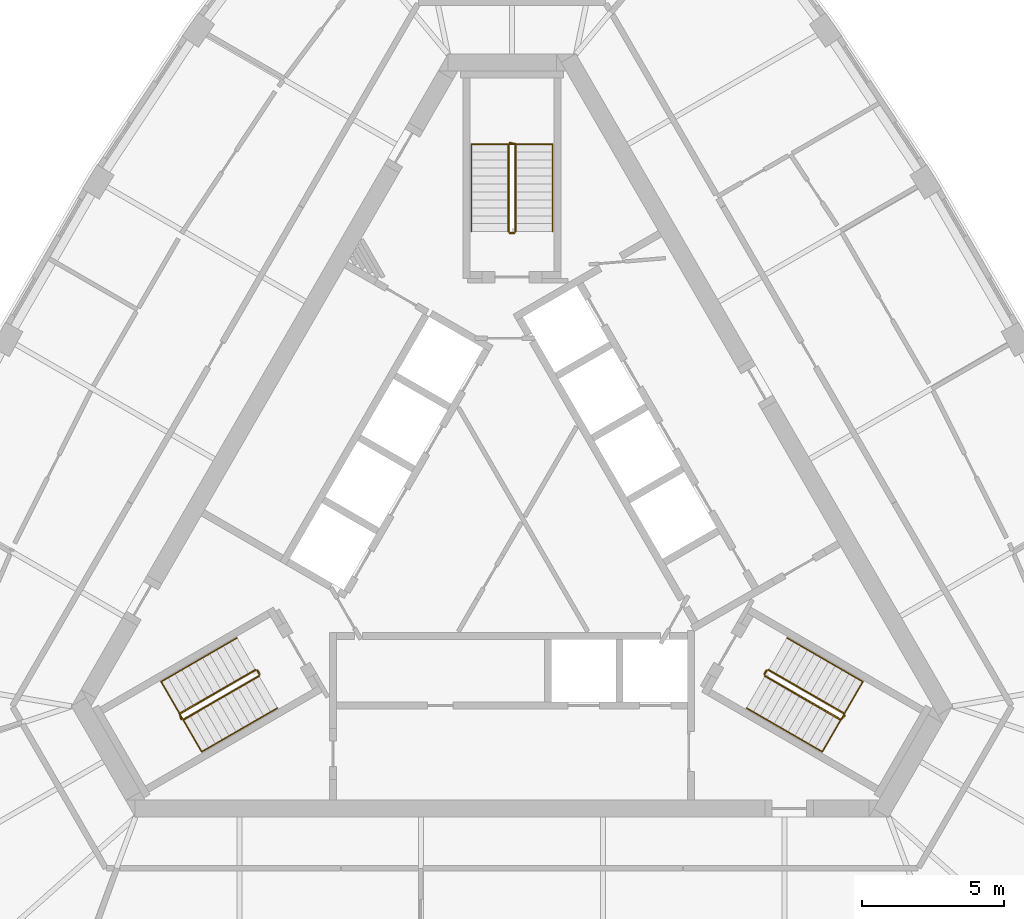
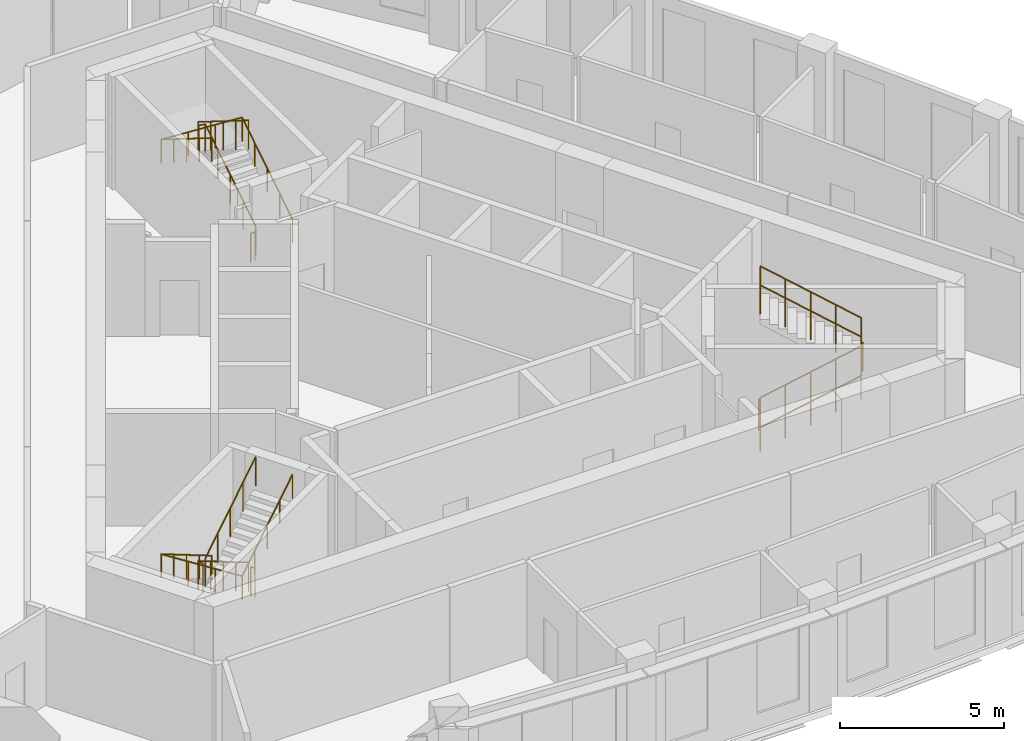
# One storey, part 10 of 10: 12 railings.
"""IFC4 building model written with IfcOpenShell, lengths in metres."""

import ifcopenshell
import ifcopenshell.guid

model = None  # the IFC model being written
_history = None  # IfcOwnerHistory: only IFC2X3 demands one
_inside = {}  # id of a spatial element -> (the spatial element, [elements in it])
_under = {}  # id of a project, library or spatial element -> (it, [spatial elements below it])
_declared = {}  # id of a project -> (the project, [libraries it declares])
_typed = {}  # id of a type object -> (the type object, [elements of that type])
_made_of = {}  # id of a material, layer set ... -> (it, [elements and type objects made of it])


def new_model(schema):
    """Start an empty IFC model of exactly this schema.

    Asked for "IFC4X3", IfcOpenShell would pick the latest addendum, in which some entities
    have other attributes; the version numbers below select the first issue.
    IFC2X3 requires an IfcOwnerHistory on every rooted entity: one is made here for all.
    """
    global model, _history
    if schema == "IFC4X3":
        model = ifcopenshell.file(schema_version=(4, 3, 0, 0))
    else:
        model = ifcopenshell.file(schema=schema)
    _inside.clear()
    _under.clear()
    _declared.clear()
    _typed.clear()
    _made_of.clear()
    _history = None
    if model.schema == "IFC2X3":
        org = make("IfcOrganization", Name="unknown")
        user = make(
            "IfcPersonAndOrganization",
            ThePerson=make("IfcPerson", FamilyName="unknown"),
            TheOrganization=org,
        )
        app = make(
            "IfcApplication",
            ApplicationDeveloper=org,
            Version="unknown",
            ApplicationFullName="unknown",
            ApplicationIdentifier="unknown",
        )
        _history = make(
            "IfcOwnerHistory",
            OwningUser=user,
            OwningApplication=app,
            ChangeAction="ADDED",
            CreationDate=0,
        )
    return model


def make(cls, **values):
    """One entity of the class cls with the attributes given. An attribute that is None is left unset."""
    return model.create_entity(
        cls, **{name: value for name, value in values.items() if value is not None}
    )


def rooted(cls, **values):
    """An entity with a GlobalId (a new one), such as an element, a storey or a relation."""
    return make(cls, GlobalId=ifcopenshell.guid.new(), OwnerHistory=_history, **values)


def si_unit(unit_type, name, prefix=None):
    """IfcSIUnit, for example si_unit("LENGTHUNIT", "METRE", prefix="MILLI")."""
    return make("IfcSIUnit", UnitType=unit_type, Prefix=prefix, Name=name)


def assignment(units):
    """IfcUnitAssignment: the units of a project."""
    return None if units is None else make("IfcUnitAssignment", Units=units)


def point(xyz):
    """IfcCartesianPoint."""
    return None if xyz is None else make("IfcCartesianPoint", Coordinates=xyz)


def direction(xyz):
    """IfcDirection."""
    return None if xyz is None else make("IfcDirection", DirectionRatios=xyz)


def frame(location, z_axis=None, x_axis=None):
    """IfcAxis2Placement3D, a coordinate frame: its origin and axes. An axis left out is left unset."""
    return make(
        "IfcAxis2Placement3D",
        Location=point(location),
        Axis=direction(z_axis),
        RefDirection=direction(x_axis),
    )


def frame_2d(location, x_axis=None):
    """IfcAxis2Placement2D, a coordinate frame in the plane: its origin and x axis."""
    return make(
        "IfcAxis2Placement2D", Location=point(location), RefDirection=direction(x_axis)
    )


def origin():
    """The frame at (0, 0, 0) with its axes left unset."""
    return frame((0.0, 0.0, 0.0))


def origin_2d():
    """The frame at (0, 0) in the plane with its x axis left unset."""
    return frame_2d((0.0, 0.0))


def place(relative_to, where):
    """IfcLocalPlacement: puts the frame where relative to a parent placement (None: the world)."""
    return make(
        "IfcLocalPlacement", PlacementRelTo=relative_to, RelativePlacement=where
    )


def context(
    kind, dimensions, precision=None, world=None, true_north=None, identifier=None
):
    """IfcGeometricRepresentationContext, for example the 3D "Model" context."""
    return make(
        "IfcGeometricRepresentationContext",
        ContextIdentifier=identifier,
        ContextType=kind,
        CoordinateSpaceDimension=dimensions,
        Precision=precision,
        WorldCoordinateSystem=world,
        TrueNorth=true_north,
    )


def subcontext(parent, identifier, kind, view, scale=None):
    """IfcGeometricRepresentationSubContext, for example "Body" below "Model"."""
    return make(
        "IfcGeometricRepresentationSubContext",
        ContextIdentifier=identifier,
        ContextType=kind,
        ParentContext=parent,
        TargetScale=scale,
        TargetView=view,
    )


def project(units=None, contexts=None):
    """IfcProject with its units and contexts."""
    return rooted(
        "IfcProject",
        Name="project",
        RepresentationContexts=contexts,
        UnitsInContext=assignment(units),
    )


def spatial(cls, under=None, at=None, **own):
    """A site, building, storey or space (cls), placed at a placement, below another one or the project."""
    s = rooted(cls, ObjectPlacement=at, **own)
    if under is not None:
        _under.setdefault(under.id(), (under, []))[1].append(s)
    return s


def profile(cls, at=None, kind="AREA", **sizes):
    """A parametric profile (cls). Its sizes go by their IFC names, for example OverallWidth=200.0."""
    return make(cls, ProfileType=kind, Position=at, **sizes)


def circle(**sizes):
    """IfcCircleProfileDef."""
    return profile("IfcCircleProfileDef", **sizes)


def extrude(swept, where, along, depth):
    """IfcExtrudedAreaSolid: the profile swept, set in the frame where, extruded along a direction by depth."""
    return make(
        "IfcExtrudedAreaSolid",
        SweptArea=swept,
        Position=where,
        ExtrudedDirection=direction(along),
        Depth=depth,
    )


def shape(context_of_items, identifier, shape_type, items):
    """IfcShapeRepresentation: the items that make up one representation, for example the "Body"."""
    return make(
        "IfcShapeRepresentation",
        ContextOfItems=context_of_items,
        RepresentationIdentifier=identifier,
        RepresentationType=shape_type,
        Items=items,
    )


def material(Name=None, Category=None):
    """IfcMaterial."""
    return make("IfcMaterial", Name=Name, Category=Category)


def made_of(thing, what):
    """Note that an element or type object is made of a material, layer set ...; save() writes the relation."""
    if what is not None:
        _made_of.setdefault(what.id(), (what, []))[1].append(thing)
    return thing


def type_object(cls, material=None, **own):
    """A type object (cls), such as IfcWallType, which elements share."""
    return made_of(rooted(cls, **own), material)


def element(
    cls,
    number,
    at=None,
    inside=None,
    cuts=None,
    type_object=None,
    material=None,
    context=None,
    identifier="Body",
    shape_type=None,
    held_by="IfcProductDefinitionShape",
    body=None,
    shapes=None,
    **own,
):
    """One element of the class cls, such as IfcWall. Its Tag is "e" and its number.

    at: its placement. inside: the storey or other place that contains it. cuts: it is an
    opening in that element (IfcRelVoidsElement). A single representation is given by context,
    identifier, shape_type and body (its items); several are given by shapes. held_by: the class
    of the entity that holds the representations. save() writes the other relations.
    """
    e = rooted(cls, Tag="e%d" % number, ObjectPlacement=at, **own)
    if body is not None:
        shapes = [shape(context, identifier, shape_type, body)]
    if shapes is not None:
        e.Representation = make(held_by, Representations=shapes)
    if inside is not None:
        _inside.setdefault(inside.id(), (inside, []))[1].append(e)
    if cuts is not None:
        rooted(
            "IfcRelVoidsElement", RelatingBuildingElement=cuts, RelatedOpeningElement=e
        )
    if type_object is not None:
        _typed.setdefault(type_object.id(), (type_object, []))[1].append(e)
    return made_of(e, material)


def aggregate(whole, parts):
    """IfcRelAggregates: a whole, such as a stair, and the parts it consists of."""
    return rooted("IfcRelAggregates", RelatingObject=whole, RelatedObjects=parts)


def save(model, path):
    """Write the relations noted so far, then the file.

    IfcRelAggregates (storeys below a building ...), IfcRelContainedInSpatialStructure (elements
    in a storey), IfcRelDefinesByType, IfcRelAssociatesMaterial and IfcRelDeclares: one each for
    every whole, place, type object, material and project.
    """
    for whole, parts in _under.values():
        aggregate(whole, parts)
    for where, things in _inside.values():
        rooted(
            "IfcRelContainedInSpatialStructure",
            RelatedElements=things,
            RelatingStructure=where,
        )
    for kind, things in _typed.values():
        rooted("IfcRelDefinesByType", RelatedObjects=things, RelatingType=kind)
    for what, things in _made_of.values():
        rooted("IfcRelAssociatesMaterial", RelatedObjects=things, RelatingMaterial=what)
    for by, libraries in _declared.values():
        rooted("IfcRelDeclares", RelatingContext=by, RelatedDefinitions=libraries)
    model.write(path)


model = new_model("IFC4")

# Units and contexts
model_context = context("Model", 3, precision=1e-05, world=origin(), true_north=direction((0.0, 1.0)))
body_context = subcontext(model_context, "Body", "Model", "MODEL_VIEW")
ifc_project = project(units=[si_unit("LENGTHUNIT", "METRE"), si_unit("AREAUNIT", "SQUARE_METRE"), si_unit("VOLUMEUNIT", "CUBIC_METRE"), si_unit("PLANEANGLEUNIT", "RADIAN"), si_unit("MASSUNIT", "GRAM", prefix="KILO")], contexts=[model_context])

# Site, building, storey
site_placement = place(None, origin())
site = spatial("IfcSite", under=ifc_project, at=site_placement, CompositionType="ELEMENT")
building_placement = place(site_placement, origin())
building = spatial("IfcBuilding", under=site, at=building_placement, Name="Mestral Congress Tower", CompositionType="ELEMENT")
storey_placement = place(building_placement, frame((0.0, 0.0, 271.199951171875)))
storey = spatial("IfcBuildingStorey", under=building, at=storey_placement, Name="L63", CompositionType="ELEMENT", Elevation=271.199951171875)

# Railings
ifc_material_1 = material(Name="Steel balustrade", Category="steel")
railing_type_1 = type_object("IfcRailingType", Name="Stair guard 1100", PredefinedType="GUARDRAIL", material=ifc_material_1)
railing_1_placement = place(storey_placement, frame((8.90087890625, -5.283203125, 0.175048828125)))
element("IfcRailing", 1, at=railing_1_placement, inside=storey, type_object=railing_type_1, Name="L63 ST1 stair guard 1", PredefinedType="GUARDRAIL", context=body_context, shape_type="SweptSolid", body=[
    extrude(circle(Radius=0.02392578125, at=origin_2d()), frame((0.0, 0.0, 1.076171875), z_axis=(0.734364028329, -0.424015404183, 0.530019255228), x_axis=(0.500026652407, 0.866010015463, 0.0)), (0.0, 0.0, 1.0), 3.632080078125),
    extrude(circle(Radius=0.02392578125, at=origin_2d()), frame((2.667236328125, -1.5400390625, 3.0009765625), z_axis=(0.695164929852, 0.718850276695, 0.0), x_axis=(-0.718850276695, 0.695164929852, 0.0)), (0.0, 0.0, 1.0), 0.2060546875),
    extrude(circle(Radius=0.02099609375, at=origin_2d()), origin(), (0.0, 0.0, 1.0), 1.052001953125),
    extrude(circle(Radius=0.02099609375, at=origin_2d()), frame((0.666748046875, -0.385009765625, 0.481201171875)), (0.0, 0.0, 1.0), 1.052001953125),
    extrude(circle(Radius=0.02099609375, at=origin_2d()), frame((1.33349609375, -0.77001953125, 0.96240234375)), (0.0, 0.0, 1.0), 1.052001953125),
    extrude(circle(Radius=0.02099609375, at=origin_2d()), frame((2.00048828125, -1.155029296875, 1.44384765625)), (0.0, 0.0, 1.0), 1.052001953125),
    extrude(circle(Radius=0.02099609375, at=origin_2d()), frame((2.667236328125, -1.5400390625, 1.925048828125)), (0.0, 0.0, 1.0), 1.052001953125),
    extrude(circle(Radius=0.02099609375, at=origin_2d()), frame((2.810546875, -1.391845703125, 1.925048828125)), (0.0, 0.0, 1.0), 1.052001953125),
])
railing_2_placement = place(storey_placement, frame((11.693115234375, -6.606689453125, 2.275146484375)))
element("IfcRailing", 2, at=railing_2_placement, inside=storey, type_object=railing_type_1, Name="L63 ST1 stair guard 2", PredefinedType="GUARDRAIL", context=body_context, shape_type="SweptSolid", body=[
    extrude(circle(Radius=0.02392578125, at=origin_2d()), frame((0.0, 0.0, 1.076171875), z_axis=(-0.734390191396, 0.42403051051, 0.529970917068), x_axis=(-0.500026652407, -0.866010015463, 0.0)), (0.0, 0.0, 1.0), 3.6318359375),
    extrude(circle(Radius=0.02099609375, at=origin_2d()), origin(), (0.0, 0.0, 1.0), 1.052001953125),
    extrude(circle(Radius=0.02099609375, at=origin_2d()), frame((-0.666748046875, 0.385009765625, 0.481201171875)), (0.0, 0.0, 1.0), 1.052001953125),
    extrude(circle(Radius=0.02099609375, at=origin_2d()), frame((-1.33349609375, 0.77001953125, 0.96240234375)), (0.0, 0.0, 1.0), 1.052001953125),
    extrude(circle(Radius=0.02099609375, at=origin_2d()), frame((-2.00048828125, 1.155029296875, 1.443603515625)), (0.0, 0.0, 1.0), 1.052001953125),
    extrude(circle(Radius=0.02099609375, at=origin_2d()), frame((-2.667236328125, 1.5400390625, 1.9248046875)), (0.0, 0.0, 1.0), 1.052001953125),
])
railing_3_placement = place(storey_placement, frame((8.882568359375, -5.21484375, 0.0)))
element("IfcRailing", 3, at=railing_3_placement, inside=storey, type_object=railing_type_1, Name="L63 ST1 stair guard 3", PredefinedType="GUARDRAIL", context=body_context, shape_type="SweptSolid", body=[
    extrude(circle(Radius=0.02392578125, at=origin_2d()), frame((0.0, 0.0, 1.076171875), z_axis=(0.499816412211, 0.866131372301, 0.0), x_axis=(-0.866131372301, 0.499816412211, 0.0)), (0.0, 0.0, 1.0), 0.14990234375),
    extrude(circle(Radius=0.02099609375, at=origin_2d()), origin(), (0.0, 0.0, 1.0), 1.052001953125),
    extrude(circle(Radius=0.02099609375, at=origin_2d()), frame((0.074951171875, 0.1298828125, 0.0)), (0.0, 0.0, 1.0), 1.052001953125),
])
railing_4_placement = place(storey_placement, frame((0.125, 10.35009765625, 0.175048828125)))
element("IfcRailing", 4, at=railing_4_placement, inside=storey, type_object=railing_type_1, Name="L63 ST2 stair guard 1", PredefinedType="GUARDRAIL", context=body_context, shape_type="SweptSolid", body=[
    extrude(circle(Radius=0.02392578125, at=origin_2d()), frame((0.0, 0.0, 1.076171875), z_axis=(0.0, 0.847979421464, 0.530029150871), x_axis=(-1.0, 0.0, 0.0)), (0.0, 0.0, 1.0), 3.632080078125),
    extrude(circle(Radius=0.02392578125, at=origin_2d()), frame((0.0, 3.079833984375, 3.0009765625), z_axis=(-0.970072785993, 0.242814311512, 0.0), x_axis=(-0.242814311512, -0.970072785993, 0.0)), (0.0, 0.0, 1.0), 0.2060546875),
    extrude(circle(Radius=0.02099609375, at=origin_2d()), origin(), (0.0, 0.0, 1.0), 1.052001953125),
    extrude(circle(Radius=0.02099609375, at=origin_2d()), frame((0.0, 0.77001953125, 0.481201171875)), (0.0, 0.0, 1.0), 1.052001953125),
    extrude(circle(Radius=0.02099609375, at=origin_2d()), frame((0.0, 1.5400390625, 0.96240234375)), (0.0, 0.0, 1.0), 1.052001953125),
    extrude(circle(Radius=0.02099609375, at=origin_2d()), frame((0.0, 2.309814453125, 1.44384765625)), (0.0, 0.0, 1.0), 1.052001953125),
    extrude(circle(Radius=0.02099609375, at=origin_2d()), frame((0.0, 3.079833984375, 1.925048828125)), (0.0, 0.0, 1.0), 1.052001953125),
    extrude(circle(Radius=0.02099609375, at=origin_2d()), frame((-0.199951171875, 3.1298828125, 1.925048828125)), (0.0, 0.0, 1.0), 1.052001953125),
])
railing_5_placement = place(storey_placement, frame((-0.125, 13.429931640625, 2.275146484375)))
element("IfcRailing", 5, at=railing_5_placement, inside=storey, type_object=railing_type_1, Name="L63 ST2 stair guard 2", PredefinedType="GUARDRAIL", context=body_context, shape_type="SweptSolid", body=[
    extrude(circle(Radius=0.02392578125, at=origin_2d()), frame((0.0, 0.0, 1.076171875), z_axis=(0.0, -0.848009633417, 0.529980812513), x_axis=(1.0, 0.0, 0.0)), (0.0, 0.0, 1.0), 3.6318359375),
    extrude(circle(Radius=0.02099609375, at=origin_2d()), origin(), (0.0, 0.0, 1.0), 1.052001953125),
    extrude(circle(Radius=0.02099609375, at=origin_2d()), frame((0.0, -0.77001953125, 0.481201171875)), (0.0, 0.0, 1.0), 1.052001953125),
    extrude(circle(Radius=0.02099609375, at=origin_2d()), frame((0.0, -1.5400390625, 0.96240234375)), (0.0, 0.0, 1.0), 1.052001953125),
    extrude(circle(Radius=0.02099609375, at=origin_2d()), frame((0.0, -2.309814453125, 1.443603515625)), (0.0, 0.0, 1.0), 1.052001953125),
    extrude(circle(Radius=0.02099609375, at=origin_2d()), frame((0.0, -3.079833984375, 1.9248046875)), (0.0, 0.0, 1.0), 1.052001953125),
])
railing_6_placement = place(storey_placement, frame((0.074951171875, 10.300048828125, 0.0)))
element("IfcRailing", 6, at=railing_6_placement, inside=storey, type_object=railing_type_1, Name="L63 ST2 stair guard 3", PredefinedType="GUARDRAIL", context=body_context, shape_type="SweptSolid", body=[
    extrude(circle(Radius=0.02392578125, at=origin_2d()), frame((0.0, 0.0, 1.076171875), z_axis=(-1.0, 0.0, 0.0), x_axis=(0.0, -1.0, 0.0)), (0.0, 0.0, 1.0), 0.14990234375),
    extrude(circle(Radius=0.02099609375, at=origin_2d()), origin(), (0.0, 0.0, 1.0), 1.052001953125),
    extrude(circle(Radius=0.02099609375, at=origin_2d()), frame((-0.14990234375, 0.0, 0.0)), (0.0, 0.0, 1.0), 1.052001953125),
])
railing_7_placement = place(storey_placement, frame((-9.02587890625, -5.066650390625, 0.175048828125)))
element("IfcRailing", 7, at=railing_7_placement, inside=storey, type_object=railing_type_1, Name="L63 ST3 stair guard 1", PredefinedType="GUARDRAIL", context=body_context, shape_type="SweptSolid", body=[
    extrude(circle(Radius=0.02392578125, at=origin_2d()), frame((0.0, 0.0, 1.076171875), z_axis=(-0.734364028329, -0.424015404183, 0.530019255228), x_axis=(0.500026652407, -0.866010015463, 0.0)), (0.0, 0.0, 1.0), 3.632080078125),
    extrude(circle(Radius=0.02392578125, at=origin_2d()), frame((-2.667236328125, -1.5400390625, 3.0009765625), z_axis=(0.274721127897, -0.961523947641, 0.0), x_axis=(0.961523947641, 0.274721127897, 0.0)), (0.0, 0.0, 1.0), 0.2060546875),
    extrude(circle(Radius=0.02099609375, at=origin_2d()), origin(), (0.0, 0.0, 1.0), 1.052001953125),
    extrude(circle(Radius=0.02099609375, at=origin_2d()), frame((-0.666748046875, -0.385009765625, 0.481201171875)), (0.0, 0.0, 1.0), 1.052001953125),
    extrude(circle(Radius=0.02099609375, at=origin_2d()), frame((-1.33349609375, -0.77001953125, 0.96240234375)), (0.0, 0.0, 1.0), 1.052001953125),
    extrude(circle(Radius=0.02099609375, at=origin_2d()), frame((-2.00048828125, -1.155029296875, 1.44384765625)), (0.0, 0.0, 1.0), 1.052001953125),
    extrude(circle(Radius=0.02099609375, at=origin_2d()), frame((-2.667236328125, -1.5400390625, 1.925048828125)), (0.0, 0.0, 1.0), 1.052001953125),
    extrude(circle(Radius=0.02099609375, at=origin_2d()), frame((-2.610595703125, -1.73828125, 1.925048828125)), (0.0, 0.0, 1.0), 1.052001953125),
])
railing_8_placement = place(storey_placement, frame((-11.568115234375, -6.8232421875, 2.275146484375)))
element("IfcRailing", 8, at=railing_8_placement, inside=storey, type_object=railing_type_1, Name="L63 ST3 stair guard 2", PredefinedType="GUARDRAIL", context=body_context, shape_type="SweptSolid", body=[
    extrude(circle(Radius=0.02392578125, at=origin_2d()), frame((0.0, 0.0, 1.076171875), z_axis=(0.734390191396, 0.42403051051, 0.529970917068), x_axis=(-0.500026652407, 0.866010015463, 0.0)), (0.0, 0.0, 1.0), 3.6318359375),
    extrude(circle(Radius=0.02099609375, at=origin_2d()), origin(), (0.0, 0.0, 1.0), 1.052001953125),
    extrude(circle(Radius=0.02099609375, at=origin_2d()), frame((0.666748046875, 0.385009765625, 0.481201171875)), (0.0, 0.0, 1.0), 1.052001953125),
    extrude(circle(Radius=0.02099609375, at=origin_2d()), frame((1.33349609375, 0.77001953125, 0.96240234375)), (0.0, 0.0, 1.0), 1.052001953125),
    extrude(circle(Radius=0.02099609375, at=origin_2d()), frame((2.00048828125, 1.155029296875, 1.443603515625)), (0.0, 0.0, 1.0), 1.052001953125),
    extrude(circle(Radius=0.02099609375, at=origin_2d()), frame((2.667236328125, 1.5400390625, 1.9248046875)), (0.0, 0.0, 1.0), 1.052001953125),
])
railing_9_placement = place(storey_placement, frame((-8.95751953125, -5.0849609375, 0.0)))
element("IfcRailing", 9, at=railing_9_placement, inside=storey, type_object=railing_type_1, Name="L63 ST3 stair guard 3", PredefinedType="GUARDRAIL", context=body_context, shape_type="SweptSolid", body=[
    extrude(circle(Radius=0.02392578125, at=origin_2d()), frame((0.0, 0.0, 1.076171875), z_axis=(0.499816412211, -0.866131372301, 0.0), x_axis=(0.866131372301, 0.499816412211, 0.0)), (0.0, 0.0, 1.0), 0.14990234375),
    extrude(circle(Radius=0.02099609375, at=origin_2d()), origin(), (0.0, 0.0, 1.0), 1.052001953125),
    extrude(circle(Radius=0.02099609375, at=origin_2d()), frame((0.074951171875, -0.1298828125, 0.0)), (0.0, 0.0, 1.0), 1.052001953125),
])
ifc_material_2 = material(Name="Steel handrail", Category="steel")
railing_type_2 = type_object("IfcRailingType", Name="Stair handrail 900", PredefinedType="HANDRAIL", material=ifc_material_2)
railing_10_placement = place(storey_placement, frame((8.2509765625, -6.4091796875, 0.175048828125)))
element("IfcRailing", 10, at=railing_10_placement, inside=storey, type_object=railing_type_2, Name="L63 ST1 stair handrail 1", PredefinedType="HANDRAIL", context=body_context, shape_type="SweptSolid", body=[
    extrude(circle(Radius=0.02392578125, at=origin_2d()), frame((0.0, 0.0, 0.8759765625), z_axis=(0.734384958227, -0.423960268333, 0.530034361155), x_axis=(0.499967199496, 0.866044340336, 0.0)), (0.0, 0.0, 1.0), 3.6318359375),
    extrude(circle(Radius=0.02392578125, at=origin_2d()), frame((2.667236328125, -1.539794921875, 2.80078125), z_axis=(0.499095769026, 0.864375386171, 0.061307463833), x_axis=(-0.866004402611, 0.500036373335, 0.0)), (0.0, 0.0, 1.0), 2.855224609375),
    extrude(circle(Radius=0.02392578125, at=origin_2d()), frame((4.09228515625, 0.92822265625, 2.97607421875), z_axis=(-0.734421155904, 0.424009578203, 0.529944755001), x_axis=(-0.499992328818, -0.866029832698, 0.0)), (0.0, 0.0, 1.0), 3.632080078125),
    extrude(circle(Radius=0.02099609375, at=origin_2d()), origin(), (0.0, 0.0, 1.0), 0.851806640625),
    extrude(circle(Radius=0.02099609375, at=origin_2d()), frame((0.666748046875, -0.385009765625, 0.481201171875)), (0.0, 0.0, 1.0), 0.851806640625),
    extrude(circle(Radius=0.02099609375, at=origin_2d()), frame((1.33349609375, -0.77001953125, 0.96240234375)), (0.0, 0.0, 1.0), 0.851806640625),
    extrude(circle(Radius=0.02099609375, at=origin_2d()), frame((2.00048828125, -1.15478515625, 1.44384765625)), (0.0, 0.0, 1.0), 0.851806640625),
    extrude(circle(Radius=0.02099609375, at=origin_2d()), frame((2.667236328125, -1.539794921875, 1.925048828125)), (0.0, 0.0, 1.0), 0.851806640625),
    extrude(circle(Radius=0.02099609375, at=origin_2d()), frame((3.142333984375, -0.717041015625, 1.9833984375)), (0.0, 0.0, 1.0), 0.851806640625),
    extrude(circle(Radius=0.02099609375, at=origin_2d()), frame((3.6171875, 0.10546875, 2.041748046875)), (0.0, 0.0, 1.0), 0.851806640625),
    extrude(circle(Radius=0.02099609375, at=origin_2d()), frame((4.09228515625, 0.92822265625, 2.10009765625)), (0.0, 0.0, 1.0), 0.851806640625),
    extrude(circle(Radius=0.02099609375, at=origin_2d()), frame((3.42529296875, 1.313232421875, 2.581298828125)), (0.0, 0.0, 1.0), 0.851806640625),
    extrude(circle(Radius=0.02099609375, at=origin_2d()), frame((2.758544921875, 1.6982421875, 3.0625)), (0.0, 0.0, 1.0), 0.851806640625),
    extrude(circle(Radius=0.02099609375, at=origin_2d()), frame((2.091796875, 2.083251953125, 3.543701171875)), (0.0, 0.0, 1.0), 0.851806640625),
    extrude(circle(Radius=0.02099609375, at=origin_2d()), frame((1.4248046875, 2.46826171875, 4.02490234375)), (0.0, 0.0, 1.0), 0.851806640625),
])
railing_11_placement = place(storey_placement, frame((1.425048828125, 10.35009765625, 0.175048828125)))
element("IfcRailing", 11, at=railing_11_placement, inside=storey, type_object=railing_type_2, Name="L63 ST2 stair handrail 1", PredefinedType="HANDRAIL", context=body_context, shape_type="SweptSolid", body=[
    extrude(circle(Radius=0.02392578125, at=origin_2d()), frame((0.0, 0.0, 0.8759765625), z_axis=(0.0, 0.847979421464, 0.530029150871), x_axis=(-1.0, 0.0, 0.0)), (0.0, 0.0, 1.0), 3.632080078125),
    extrude(circle(Radius=0.02392578125, at=origin_2d()), frame((0.0, 3.079833984375, 2.80078125), z_axis=(-0.998119201106, 0.0, 0.061303021003), x_axis=(0.0, -1.0, 0.0)), (0.0, 0.0, 1.0), 2.85546875),
    extrude(circle(Radius=0.02392578125, at=origin_2d()), frame((-2.85009765625, 3.079833984375, 2.97607421875), z_axis=(0.0, -0.848009633417, 0.529980812513), x_axis=(1.0, 0.0, 0.0)), (0.0, 0.0, 1.0), 3.6318359375),
    extrude(circle(Radius=0.02099609375, at=origin_2d()), origin(), (0.0, 0.0, 1.0), 0.851806640625),
    extrude(circle(Radius=0.02099609375, at=origin_2d()), frame((0.0, 0.77001953125, 0.481201171875)), (0.0, 0.0, 1.0), 0.851806640625),
    extrude(circle(Radius=0.02099609375, at=origin_2d()), frame((0.0, 1.5400390625, 0.96240234375)), (0.0, 0.0, 1.0), 0.851806640625),
    extrude(circle(Radius=0.02099609375, at=origin_2d()), frame((0.0, 2.309814453125, 1.44384765625)), (0.0, 0.0, 1.0), 0.851806640625),
    extrude(circle(Radius=0.02099609375, at=origin_2d()), frame((0.0, 3.079833984375, 1.925048828125)), (0.0, 0.0, 1.0), 0.851806640625),
    extrude(circle(Radius=0.02099609375, at=origin_2d()), frame((-0.949951171875, 3.079833984375, 1.9833984375)), (0.0, 0.0, 1.0), 0.851806640625),
    extrude(circle(Radius=0.02099609375, at=origin_2d()), frame((-1.900146484375, 3.079833984375, 2.041748046875)), (0.0, 0.0, 1.0), 0.851806640625),
    extrude(circle(Radius=0.02099609375, at=origin_2d()), frame((-2.85009765625, 3.079833984375, 2.10009765625)), (0.0, 0.0, 1.0), 0.851806640625),
    extrude(circle(Radius=0.02099609375, at=origin_2d()), frame((-2.85009765625, 2.309814453125, 2.581298828125)), (0.0, 0.0, 1.0), 0.851806640625),
    extrude(circle(Radius=0.02099609375, at=origin_2d()), frame((-2.85009765625, 1.5400390625, 3.0625)), (0.0, 0.0, 1.0), 0.851806640625),
    extrude(circle(Radius=0.02099609375, at=origin_2d()), frame((-2.85009765625, 0.77001953125, 3.543701171875)), (0.0, 0.0, 1.0), 0.851806640625),
    extrude(circle(Radius=0.02099609375, at=origin_2d()), frame((-2.85009765625, 0.0, 4.02490234375)), (0.0, 0.0, 1.0), 0.851806640625),
])
railing_12_placement = place(storey_placement, frame((-9.67578125, -3.94091796875, 0.175048828125)))
element("IfcRailing", 12, at=railing_12_placement, inside=storey, type_object=railing_type_2, Name="L63 ST3 stair handrail 1", PredefinedType="HANDRAIL", context=body_context, shape_type="SweptSolid", body=[
    extrude(circle(Radius=0.02392578125, at=origin_2d()), frame((0.0, 0.0, 0.8759765625), z_axis=(-0.734394994316, -0.423994474112, 0.52999309264), x_axis=(0.499992328818, -0.866029832698, 0.0)), (0.0, 0.0, 1.0), 3.63232421875),
    extrude(circle(Radius=0.02392578125, at=origin_2d()), frame((-2.66748046875, -1.5400390625, 2.80078125), z_axis=(0.499095769026, -0.864375386171, 0.061307463833), x_axis=(0.866004402611, 0.500036373335, 0.0)), (0.0, 0.0, 1.0), 2.855224609375),
    extrude(circle(Radius=0.02392578125, at=origin_2d()), frame((-1.242431640625, -4.008056640625, 2.97607421875), z_axis=(0.734411123532, 0.423975373557, 0.529986022693), x_axis=(-0.499967199496, 0.866044340336, 0.0)), (0.0, 0.0, 1.0), 3.6318359375),
    extrude(circle(Radius=0.02099609375, at=origin_2d()), origin(), (0.0, 0.0, 1.0), 0.851806640625),
    extrude(circle(Radius=0.02099609375, at=origin_2d()), frame((-0.6669921875, -0.385009765625, 0.481201171875)), (0.0, 0.0, 1.0), 0.851806640625),
    extrude(circle(Radius=0.02099609375, at=origin_2d()), frame((-1.333740234375, -0.77001953125, 0.96240234375)), (0.0, 0.0, 1.0), 0.851806640625),
    extrude(circle(Radius=0.02099609375, at=origin_2d()), frame((-2.00048828125, -1.155029296875, 1.44384765625)), (0.0, 0.0, 1.0), 0.851806640625),
    extrude(circle(Radius=0.02099609375, at=origin_2d()), frame((-2.66748046875, -1.5400390625, 1.925048828125)), (0.0, 0.0, 1.0), 0.851806640625),
    extrude(circle(Radius=0.02099609375, at=origin_2d()), frame((-2.1923828125, -2.36279296875, 1.9833984375)), (0.0, 0.0, 1.0), 0.851806640625),
    extrude(circle(Radius=0.02099609375, at=origin_2d()), frame((-1.717529296875, -3.185302734375, 2.041748046875)), (0.0, 0.0, 1.0), 0.851806640625),
    extrude(circle(Radius=0.02099609375, at=origin_2d()), frame((-1.242431640625, -4.008056640625, 2.10009765625)), (0.0, 0.0, 1.0), 0.851806640625),
    extrude(circle(Radius=0.02099609375, at=origin_2d()), frame((-0.57568359375, -3.623046875, 2.581298828125)), (0.0, 0.0, 1.0), 0.851806640625),
    extrude(circle(Radius=0.02099609375, at=origin_2d()), frame((0.09130859375, -3.23828125, 3.0625)), (0.0, 0.0, 1.0), 0.851806640625),
    extrude(circle(Radius=0.02099609375, at=origin_2d()), frame((0.758056640625, -2.853271484375, 3.543701171875)), (0.0, 0.0, 1.0), 0.851806640625),
    extrude(circle(Radius=0.02099609375, at=origin_2d()), frame((1.4248046875, -2.46826171875, 4.02490234375)), (0.0, 0.0, 1.0), 0.851806640625),
])

save(model, "model.ifc")
